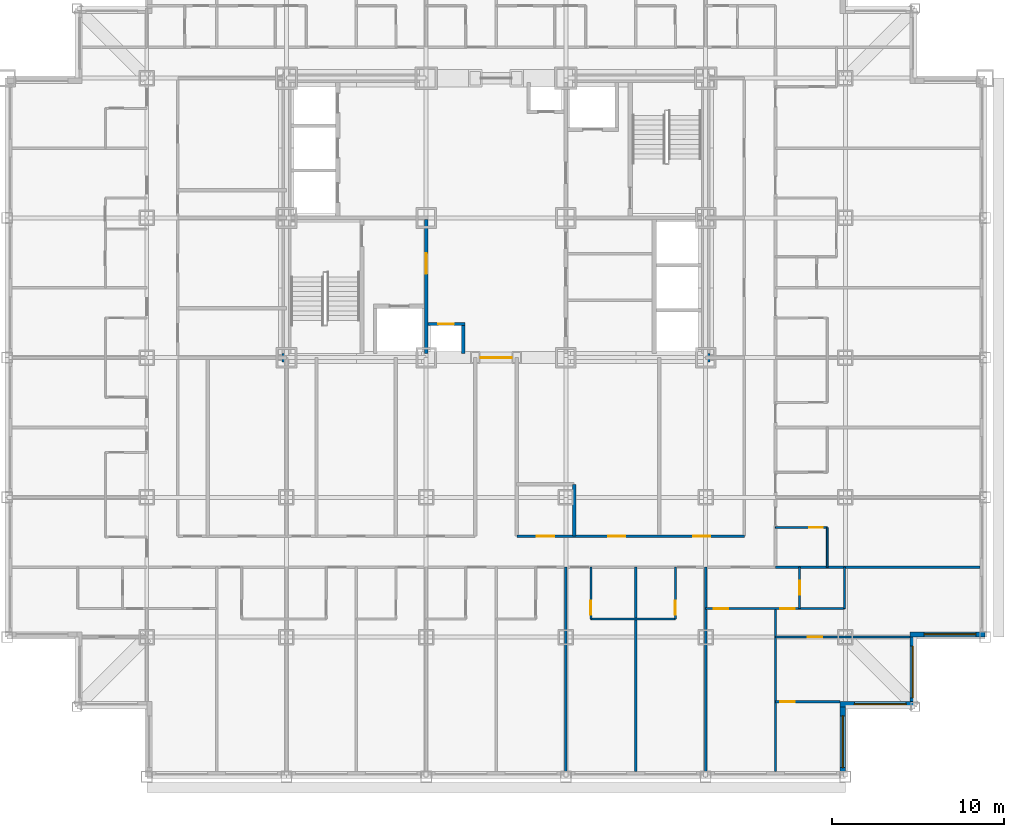
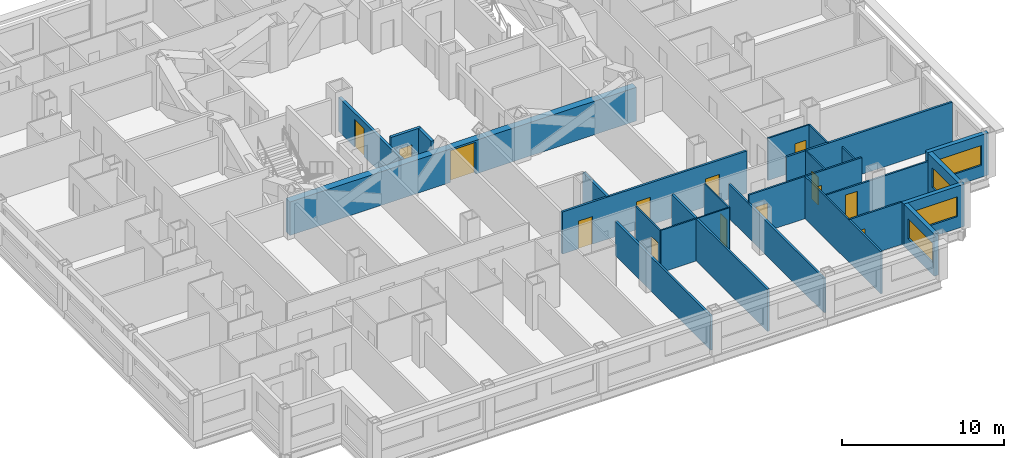
# One storey, part 6 of 12: 25 walls, 14 doors, 4 windows, 18 openings.
"""IFC4 building model written with IfcOpenShell, lengths in metres."""

import ifcopenshell
import ifcopenshell.guid

model = None  # the IFC model being written
_history = None  # IfcOwnerHistory: only IFC2X3 demands one
_inside = {}  # id of a spatial element -> (the spatial element, [elements in it])
_under = {}  # id of a project, library or spatial element -> (it, [spatial elements below it])
_declared = {}  # id of a project -> (the project, [libraries it declares])
_typed = {}  # id of a type object -> (the type object, [elements of that type])
_made_of = {}  # id of a material, layer set ... -> (it, [elements and type objects made of it])


def new_model(schema):
    """Start an empty IFC model of exactly this schema.

    Asked for "IFC4X3", IfcOpenShell would pick the latest addendum, in which some entities
    have other attributes; the version numbers below select the first issue.
    IFC2X3 requires an IfcOwnerHistory on every rooted entity: one is made here for all.
    """
    global model, _history
    if schema == "IFC4X3":
        model = ifcopenshell.file(schema_version=(4, 3, 0, 0))
    else:
        model = ifcopenshell.file(schema=schema)
    _inside.clear()
    _under.clear()
    _declared.clear()
    _typed.clear()
    _made_of.clear()
    _history = None
    if model.schema == "IFC2X3":
        org = make("IfcOrganization", Name="unknown")
        user = make(
            "IfcPersonAndOrganization",
            ThePerson=make("IfcPerson", FamilyName="unknown"),
            TheOrganization=org,
        )
        app = make(
            "IfcApplication",
            ApplicationDeveloper=org,
            Version="unknown",
            ApplicationFullName="unknown",
            ApplicationIdentifier="unknown",
        )
        _history = make(
            "IfcOwnerHistory",
            OwningUser=user,
            OwningApplication=app,
            ChangeAction="ADDED",
            CreationDate=0,
        )
    return model


def make(cls, **values):
    """One entity of the class cls with the attributes given. An attribute that is None is left unset."""
    return model.create_entity(
        cls, **{name: value for name, value in values.items() if value is not None}
    )


def rooted(cls, **values):
    """An entity with a GlobalId (a new one), such as an element, a storey or a relation."""
    return make(cls, GlobalId=ifcopenshell.guid.new(), OwnerHistory=_history, **values)


def si_unit(unit_type, name, prefix=None):
    """IfcSIUnit, for example si_unit("LENGTHUNIT", "METRE", prefix="MILLI")."""
    return make("IfcSIUnit", UnitType=unit_type, Prefix=prefix, Name=name)


def assignment(units):
    """IfcUnitAssignment: the units of a project."""
    return None if units is None else make("IfcUnitAssignment", Units=units)


def point(xyz):
    """IfcCartesianPoint."""
    return None if xyz is None else make("IfcCartesianPoint", Coordinates=xyz)


def direction(xyz):
    """IfcDirection."""
    return None if xyz is None else make("IfcDirection", DirectionRatios=xyz)


def frame(location, z_axis=None, x_axis=None):
    """IfcAxis2Placement3D, a coordinate frame: its origin and axes. An axis left out is left unset."""
    return make(
        "IfcAxis2Placement3D",
        Location=point(location),
        Axis=direction(z_axis),
        RefDirection=direction(x_axis),
    )


def frame_2d(location, x_axis=None):
    """IfcAxis2Placement2D, a coordinate frame in the plane: its origin and x axis."""
    return make(
        "IfcAxis2Placement2D", Location=point(location), RefDirection=direction(x_axis)
    )


def origin():
    """The frame at (0, 0, 0) with its axes left unset."""
    return frame((0.0, 0.0, 0.0))


def place(relative_to, where):
    """IfcLocalPlacement: puts the frame where relative to a parent placement (None: the world)."""
    return make(
        "IfcLocalPlacement", PlacementRelTo=relative_to, RelativePlacement=where
    )


def context(
    kind, dimensions, precision=None, world=None, true_north=None, identifier=None
):
    """IfcGeometricRepresentationContext, for example the 3D "Model" context."""
    return make(
        "IfcGeometricRepresentationContext",
        ContextIdentifier=identifier,
        ContextType=kind,
        CoordinateSpaceDimension=dimensions,
        Precision=precision,
        WorldCoordinateSystem=world,
        TrueNorth=true_north,
    )


def subcontext(parent, identifier, kind, view, scale=None):
    """IfcGeometricRepresentationSubContext, for example "Body" below "Model"."""
    return make(
        "IfcGeometricRepresentationSubContext",
        ContextIdentifier=identifier,
        ContextType=kind,
        ParentContext=parent,
        TargetScale=scale,
        TargetView=view,
    )


def project(units=None, contexts=None):
    """IfcProject with its units and contexts."""
    return rooted(
        "IfcProject",
        Name="project",
        RepresentationContexts=contexts,
        UnitsInContext=assignment(units),
    )


def spatial(cls, under=None, at=None, **own):
    """A site, building, storey or space (cls), placed at a placement, below another one or the project."""
    s = rooted(cls, ObjectPlacement=at, **own)
    if under is not None:
        _under.setdefault(under.id(), (under, []))[1].append(s)
    return s


def profile(cls, at=None, kind="AREA", **sizes):
    """A parametric profile (cls). Its sizes go by their IFC names, for example OverallWidth=200.0."""
    return make(cls, ProfileType=kind, Position=at, **sizes)


def rectangle(**sizes):
    """IfcRectangleProfileDef."""
    return profile("IfcRectangleProfileDef", **sizes)


def extrude(swept, where, along, depth):
    """IfcExtrudedAreaSolid: the profile swept, set in the frame where, extruded along a direction by depth."""
    return make(
        "IfcExtrudedAreaSolid",
        SweptArea=swept,
        Position=where,
        ExtrudedDirection=direction(along),
        Depth=depth,
    )


def shape(context_of_items, identifier, shape_type, items):
    """IfcShapeRepresentation: the items that make up one representation, for example the "Body"."""
    return make(
        "IfcShapeRepresentation",
        ContextOfItems=context_of_items,
        RepresentationIdentifier=identifier,
        RepresentationType=shape_type,
        Items=items,
    )


def material(Name=None, Category=None):
    """IfcMaterial."""
    return make("IfcMaterial", Name=Name, Category=Category)


def layer(
    of_material, thickness, ventilated=None, Name=None, Category=None, Priority=None
):
    """IfcMaterialLayer: one layer of a wall or slab, of a material (None: an air gap)."""
    return make(
        "IfcMaterialLayer",
        Material=of_material,
        LayerThickness=thickness,
        IsVentilated=ventilated,
        Name=Name,
        Category=Category,
        Priority=Priority,
    )


def layer_set(layers, Name=None):
    """IfcMaterialLayerSet."""
    return make("IfcMaterialLayerSet", MaterialLayers=layers, LayerSetName=Name)


def made_of(thing, what):
    """Note that an element or type object is made of a material, layer set ...; save() writes the relation."""
    if what is not None:
        _made_of.setdefault(what.id(), (what, []))[1].append(thing)
    return thing


def type_object(cls, material=None, **own):
    """A type object (cls), such as IfcWallType, which elements share."""
    return made_of(rooted(cls, **own), material)


def element(
    cls,
    number,
    at=None,
    inside=None,
    cuts=None,
    type_object=None,
    material=None,
    context=None,
    identifier="Body",
    shape_type=None,
    held_by="IfcProductDefinitionShape",
    body=None,
    shapes=None,
    **own,
):
    """One element of the class cls, such as IfcWall. Its Tag is "e" and its number.

    at: its placement. inside: the storey or other place that contains it. cuts: it is an
    opening in that element (IfcRelVoidsElement). A single representation is given by context,
    identifier, shape_type and body (its items); several are given by shapes. held_by: the class
    of the entity that holds the representations. save() writes the other relations.
    """
    e = rooted(cls, Tag="e%d" % number, ObjectPlacement=at, **own)
    if body is not None:
        shapes = [shape(context, identifier, shape_type, body)]
    if shapes is not None:
        e.Representation = make(held_by, Representations=shapes)
    if inside is not None:
        _inside.setdefault(inside.id(), (inside, []))[1].append(e)
    if cuts is not None:
        rooted(
            "IfcRelVoidsElement", RelatingBuildingElement=cuts, RelatedOpeningElement=e
        )
    if type_object is not None:
        _typed.setdefault(type_object.id(), (type_object, []))[1].append(e)
    return made_of(e, material)


def fill(opening, filler):
    """IfcRelFillsElement: the door or window that sits in an opening."""
    return rooted(
        "IfcRelFillsElement",
        RelatingOpeningElement=opening,
        RelatedBuildingElement=filler,
    )


def aggregate(whole, parts):
    """IfcRelAggregates: a whole, such as a stair, and the parts it consists of."""
    return rooted("IfcRelAggregates", RelatingObject=whole, RelatedObjects=parts)


def save(model, path):
    """Write the relations noted so far, then the file.

    IfcRelAggregates (storeys below a building ...), IfcRelContainedInSpatialStructure (elements
    in a storey), IfcRelDefinesByType, IfcRelAssociatesMaterial and IfcRelDeclares: one each for
    every whole, place, type object, material and project.
    """
    for whole, parts in _under.values():
        aggregate(whole, parts)
    for where, things in _inside.values():
        rooted(
            "IfcRelContainedInSpatialStructure",
            RelatedElements=things,
            RelatingStructure=where,
        )
    for kind, things in _typed.values():
        rooted("IfcRelDefinesByType", RelatedObjects=things, RelatingType=kind)
    for what, things in _made_of.values():
        rooted("IfcRelAssociatesMaterial", RelatedObjects=things, RelatingMaterial=what)
    for by, libraries in _declared.values():
        rooted("IfcRelDeclares", RelatingContext=by, RelatedDefinitions=libraries)
    model.write(path)


model = new_model("IFC4")

# Units and contexts
model_context = context("Model", 3, precision=1e-05, world=origin(), true_north=direction((0.0, 1.0)))
body_context = subcontext(model_context, "Body", "Model", "MODEL_VIEW")
ifc_project = project(units=[si_unit("LENGTHUNIT", "METRE"), si_unit("AREAUNIT", "SQUARE_METRE"), si_unit("VOLUMEUNIT", "CUBIC_METRE"), si_unit("PLANEANGLEUNIT", "RADIAN"), si_unit("MASSUNIT", "GRAM", prefix="KILO")], contexts=[model_context])

# Site, building, storey
site_placement = place(None, origin())
site = spatial("IfcSite", under=ifc_project, at=site_placement, CompositionType="ELEMENT")
building_placement = place(site_placement, origin())
building = spatial("IfcBuilding", under=site, at=building_placement, Name="Kopane Lantern Tower", CompositionType="ELEMENT")
storey_placement = place(building_placement, frame((0.0, 0.0, 70.39990234375)))
storey = spatial("IfcBuildingStorey", under=building, at=storey_placement, Name="L17", CompositionType="ELEMENT", Elevation=70.39990234375)

# Wall, openings, doors
ifc_material_1 = material(Name="Gypsum board on steel studs", Category="steel")
ifc_layer_1 = layer(ifc_material_1, 0.1201171875)
ifc_layer_set_1 = layer_set([ifc_layer_1], Name="APARTMENT INTERNAL WALL 120")
wall_type_1 = type_object("IfcWallType", Name="APARTMENT INTERNAL WALL 120", PredefinedType="PARTITIONING", material=ifc_layer_set_1)
wall_1_placement = place(storey_placement, frame((40.5, 9.75, 0.0), z_axis=(0.0, 0.0, 1.0), x_axis=(1.0, 0.0, 0.0)))
wall_1 = element("IfcWall", 1, at=wall_1_placement, inside=storey, type_object=wall_type_1, Name="Apartment Internal Wall 120 L17", PredefinedType="PARTITIONING", context=body_context, shape_type="SweptSolid", body=[
    extrude(rectangle(XDim=8.050048828125, YDim=0.1201171875, at=frame_2d((4.02490234375, 0.0))), origin(), (0.0, 0.0, 1.0), 3.190185546875),
])
opening_1_placement = place(wall_1_placement, frame((0.47509765625, 0.0, 0.0)))
opening_1 = element("IfcOpeningElement", 2, at=opening_1_placement, cuts=wall_1, Name="Opening L17-073", PredefinedType="OPENING", context=body_context, shape_type="SweptSolid", body=[
    extrude(rectangle(XDim=0.85009765625, YDim=2.10009765625, at=frame_2d((0.425048828125, 1.050048828125))), frame((0.0, 0.070068359375, 0.0), z_axis=(0.0, -1.0, 0.0), x_axis=(1.0, 0.0, 0.0)), (0.0, 0.0, 1.0), 0.14013671875),
])
opening_2_placement = place(wall_1_placement, frame((4.324951171875, 0.0, 0.0)))
opening_2 = element("IfcOpeningElement", 3, at=opening_2_placement, cuts=wall_1, Name="Opening L17-075", PredefinedType="OPENING", context=body_context, shape_type="SweptSolid", body=[
    extrude(rectangle(XDim=0.85009765625, YDim=2.10009765625, at=frame_2d((0.425048828125, 1.050048828125))), frame((0.0, 0.070068359375, 0.0), z_axis=(0.0, -1.0, 0.0), x_axis=(1.0, 0.0, 0.0)), (0.0, 0.0, 1.0), 0.14013671875),
])
ifc_material_2 = material(Name="Timber door set", Category="wood")
door_type_1 = type_object("IfcDoorType", Name="DOOR D4 850x2100", OperationType="SINGLE_SWING_LEFT", PredefinedType="DOOR", material=ifc_material_2)
door_1_placement = place(opening_1_placement, origin())
door_1 = element("IfcDoor", 4, at=door_1_placement, inside=storey, type_object=door_type_1, Name="Door L17-073", OperationType="SINGLE_SWING_LEFT", OverallHeight=2.10009765625, OverallWidth=0.85009765625, PredefinedType="DOOR", context=body_context, shape_type="SweptSolid", body=[
    extrude(rectangle(XDim=0.85009765625, YDim=2.10009765625, at=frame_2d((0.425048828125, 1.050048828125))), frame((0.0, 0.02490234375, 0.0), z_axis=(0.0, -1.0, 0.0), x_axis=(1.0, 0.0, 0.0)), (0.0, 0.0, 1.0), 0.050048828125),
])
fill(opening_1, door_1)
door_2_placement = place(opening_2_placement, origin())
door_2 = element("IfcDoor", 5, at=door_2_placement, inside=storey, type_object=door_type_1, Name="Door L17-075", OperationType="SINGLE_SWING_RIGHT", OverallHeight=2.10009765625, OverallWidth=0.85009765625, PredefinedType="DOOR", context=body_context, shape_type="SweptSolid", body=[
    extrude(rectangle(XDim=0.85009765625, YDim=2.10009765625, at=frame_2d((0.425048828125, 1.050048828125))), frame((0.0, 0.02490234375, 0.0), z_axis=(0.0, -1.0, 0.0), x_axis=(1.0, 0.0, 0.0)), (0.0, 0.0, 1.0), 0.050048828125),
])
fill(opening_2, door_2)

# Wall
wall_2_placement = place(storey_placement, frame((44.550048828125, 9.75, 0.0), z_axis=(0.0, 0.0, 1.0), x_axis=(0.0, -1.0, 0.0)))
element("IfcWall", 6, at=wall_2_placement, inside=storey, type_object=wall_type_1, Name="Apartment Internal Wall 120 L17", PredefinedType="PARTITIONING", context=body_context, shape_type="SweptSolid", body=[
    extrude(rectangle(XDim=9.449951171875, YDim=0.1201171875, at=frame_2d((4.72509765625, 0.0))), origin(), (0.0, 0.0, 1.0), 3.190185546875),
])

# Wall, opening, door
wall_3_placement = place(storey_placement, frame((44.550048828125, 8.10009765625, 0.0), z_axis=(0.0, 0.0, 1.0), x_axis=(1.0, 0.0, 0.0)))
wall_3 = element("IfcWall", 7, at=wall_3_placement, inside=storey, type_object=wall_type_1, Name="Apartment Internal Wall 120 L17", PredefinedType="PARTITIONING", context=body_context, shape_type="SweptSolid", body=[
    extrude(rectangle(XDim=7.800048828125, YDim=0.1201171875, at=frame_2d((3.89990234375, 0.0))), origin(), (0.0, 0.0, 1.0), 2.577880859375),
])
opening_3_placement = place(wall_3_placement, frame((1.875, 0.0, 0.0)))
opening_3 = element("IfcOpeningElement", 8, at=opening_3_placement, cuts=wall_3, Name="Opening L17-076", PredefinedType="OPENING", context=body_context, shape_type="SweptSolid", body=[
    extrude(rectangle(XDim=0.85009765625, YDim=2.10009765625, at=frame_2d((0.425048828125, 1.050048828125))), frame((0.0, 0.070068359375, 0.0), z_axis=(0.0, -1.0, 0.0), x_axis=(1.0, 0.0, 0.0)), (0.0, 0.0, 1.0), 0.14013671875),
])
door_3_placement = place(opening_3_placement, origin())
door_3 = element("IfcDoor", 9, at=door_3_placement, inside=storey, type_object=door_type_1, Name="Door L17-076", OperationType="SINGLE_SWING_LEFT", OverallHeight=2.10009765625, OverallWidth=0.85009765625, PredefinedType="DOOR", context=body_context, shape_type="SweptSolid", body=[
    extrude(rectangle(XDim=0.85009765625, YDim=2.10009765625, at=frame_2d((0.425048828125, 1.050048828125))), frame((0.0, 0.02490234375, 0.0), z_axis=(0.0, -1.0, 0.0), x_axis=(1.0, 0.0, 0.0)), (0.0, 0.0, 1.0), 0.050048828125),
])
fill(opening_3, door_3)

wall_4_placement = place(storey_placement, frame((44.550048828125, 4.35009765625, 0.0), z_axis=(0.0, 0.0, 1.0), x_axis=(1.0, 0.0, 0.0)))
wall_4 = element("IfcWall", 10, at=wall_4_placement, inside=storey, type_object=wall_type_1, Name="Apartment Internal Wall 120 L17", PredefinedType="PARTITIONING", context=body_context, shape_type="SweptSolid", body=[
    extrude(rectangle(XDim=3.75, YDim=0.1201171875, at=frame_2d((1.875, 0.0))), origin(), (0.0, 0.0, 1.0), 3.190185546875),
])
opening_4_placement = place(wall_4_placement, frame((0.27490234375, 0.0, 0.0)))
opening_4 = element("IfcOpeningElement", 11, at=opening_4_placement, cuts=wall_4, Name="Opening L17-083", PredefinedType="OPENING", context=body_context, shape_type="SweptSolid", body=[
    extrude(rectangle(XDim=0.85009765625, YDim=2.10009765625, at=frame_2d((0.425048828125, 1.050048828125))), frame((0.0, 0.070068359375, 0.0), z_axis=(0.0, -1.0, 0.0), x_axis=(1.0, 0.0, 0.0)), (0.0, 0.0, 1.0), 0.14013671875),
])
door_4_placement = place(opening_4_placement, origin())
door_4 = element("IfcDoor", 12, at=door_4_placement, inside=storey, type_object=door_type_1, Name="Door L17-083", OperationType="SINGLE_SWING_RIGHT", OverallHeight=2.10009765625, OverallWidth=0.85009765625, PredefinedType="DOOR", context=body_context, shape_type="SweptSolid", body=[
    extrude(rectangle(XDim=0.85009765625, YDim=2.10009765625, at=frame_2d((0.425048828125, 1.050048828125))), frame((0.0, 0.02490234375, 0.0), z_axis=(0.0, -1.0, 0.0), x_axis=(1.0, 0.0, 0.0)), (0.0, 0.0, 1.0), 0.050048828125),
])
fill(opening_4, door_4)

# Wall
ifc_material_3 = material(Name="Moisture-resistant board on steel studs", Category="steel")
ifc_layer_2 = layer(ifc_material_3, 0.10009765625)
ifc_layer_set_2 = layer_set([ifc_layer_2], Name="BATHROOM WALL 100")
wall_type_2 = type_object("IfcWallType", Name="BATHROOM WALL 100", PredefinedType="PARTITIONING", material=ifc_layer_set_2)
wall_5_placement = place(storey_placement, frame((33.85009765625, 9.14990234375, 0.0), z_axis=(0.0, 0.0, 1.0), x_axis=(1.0, 0.0, 0.0)))
element("IfcWall", 13, at=wall_5_placement, inside=storey, type_object=wall_type_2, Name="Bathroom Wall 100 L17", PredefinedType="PARTITIONING", context=body_context, shape_type="SweptSolid", body=[
    extrude(rectangle(XDim=4.89990234375, YDim=0.10009765625, at=frame_2d((2.449951171875, 0.0))), origin(), (0.0, 0.0, 1.0), 3.190185546875),
])

# Wall, opening, door
wall_6_placement = place(storey_placement, frame((33.85009765625, 12.14990234375, 0.0), z_axis=(0.0, 0.0, 1.0), x_axis=(0.0, -1.0, 0.0)))
wall_6 = element("IfcWall", 14, at=wall_6_placement, inside=storey, type_object=wall_type_2, Name="Bathroom Wall 100 L17", PredefinedType="PARTITIONING", context=body_context, shape_type="SweptSolid", body=[
    extrude(rectangle(XDim=3.0, YDim=0.10009765625, at=frame_2d((1.5, 0.0))), origin(), (0.0, 0.0, 1.0), 3.190185546875),
])
opening_5_placement = place(wall_6_placement, frame((1.949951171875, 0.0, 0.0)))
opening_5 = element("IfcOpeningElement", 15, at=opening_5_placement, cuts=wall_6, Name="Opening L17-025", PredefinedType="OPENING", context=body_context, shape_type="SweptSolid", body=[
    extrude(rectangle(XDim=0.800048828125, YDim=2.10009765625, at=frame_2d((0.39990234375, 1.050048828125))), frame((0.0, 0.06005859375, 0.0), z_axis=(0.0, -1.0, 0.0), x_axis=(1.0, 0.0, 0.0)), (0.0, 0.0, 1.0), 0.1201171875),
])
ifc_material_4 = material(Name="Timber door set", Category="wood")
door_type_2 = type_object("IfcDoorType", Name="DOOR D2 800x2100", OperationType="SINGLE_SWING_LEFT", PredefinedType="DOOR", material=ifc_material_4)
door_5_placement = place(opening_5_placement, origin())
door_5 = element("IfcDoor", 16, at=door_5_placement, inside=storey, type_object=door_type_2, Name="Door L17-025", OperationType="SINGLE_SWING_RIGHT", OverallHeight=2.10009765625, OverallWidth=0.800048828125, PredefinedType="DOOR", context=body_context, shape_type="SweptSolid", body=[
    extrude(rectangle(XDim=0.800048828125, YDim=2.10009765625, at=frame_2d((0.39990234375, 1.050048828125))), frame((0.0, 0.02490234375, 0.0), z_axis=(0.0, -1.0, 0.0), x_axis=(1.0, 0.0, 0.0)), (0.0, 0.0, 1.0), 0.050048828125),
])
fill(opening_5, door_5)

wall_7_placement = place(storey_placement, frame((38.75, 12.14990234375, 0.0), z_axis=(0.0, 0.0, 1.0), x_axis=(0.0, -1.0, 0.0)))
wall_7 = element("IfcWall", 17, at=wall_7_placement, inside=storey, type_object=wall_type_2, Name="Bathroom Wall 100 L17", PredefinedType="PARTITIONING", context=body_context, shape_type="SweptSolid", body=[
    extrude(rectangle(XDim=3.0, YDim=0.10009765625, at=frame_2d((1.5, 0.0))), origin(), (0.0, 0.0, 1.0), 3.190185546875),
])
opening_6_placement = place(wall_7_placement, frame((1.949951171875, 0.0, 0.0)))
opening_6 = element("IfcOpeningElement", 18, at=opening_6_placement, cuts=wall_7, Name="Opening L17-027", PredefinedType="OPENING", context=body_context, shape_type="SweptSolid", body=[
    extrude(rectangle(XDim=0.800048828125, YDim=2.10009765625, at=frame_2d((0.39990234375, 1.050048828125))), frame((0.0, 0.06005859375, 0.0), z_axis=(0.0, -1.0, 0.0), x_axis=(1.0, 0.0, 0.0)), (0.0, 0.0, 1.0), 0.1201171875),
])
door_6_placement = place(opening_6_placement, origin())
door_6 = element("IfcDoor", 19, at=door_6_placement, inside=storey, type_object=door_type_2, Name="Door L17-027", OperationType="SINGLE_SWING_LEFT", OverallHeight=2.10009765625, OverallWidth=0.800048828125, PredefinedType="DOOR", context=body_context, shape_type="SweptSolid", body=[
    extrude(rectangle(XDim=0.800048828125, YDim=2.10009765625, at=frame_2d((0.39990234375, 1.050048828125))), frame((0.0, 0.02490234375, 0.0), z_axis=(0.0, -1.0, 0.0), x_axis=(1.0, 0.0, 0.0)), (0.0, 0.0, 1.0), 0.050048828125),
])
fill(opening_6, door_6)

# Wall
wall_8_placement = place(storey_placement, frame((47.550048828125, 12.14990234375, 0.0), z_axis=(0.0, 0.0, 1.0), x_axis=(0.0, 1.0, 0.0)))
element("IfcWall", 20, at=wall_8_placement, inside=storey, type_object=wall_type_2, Name="Bathroom Wall 100 L17", PredefinedType="PARTITIONING", context=body_context, shape_type="SweptSolid", body=[
    extrude(rectangle(XDim=2.300048828125, YDim=0.10009765625, at=frame_2d((1.14990234375, 0.0))), origin(), (0.0, 0.0, 1.0), 3.190185546875),
])

# Wall, opening, door
wall_9_placement = place(storey_placement, frame((44.550048828125, 14.449951171875, 0.0), z_axis=(0.0, 0.0, 1.0), x_axis=(1.0, 0.0, 0.0)))
wall_9 = element("IfcWall", 21, at=wall_9_placement, inside=storey, type_object=wall_type_2, Name="Bathroom Wall 100 L17", PredefinedType="PARTITIONING", context=body_context, shape_type="SweptSolid", body=[
    extrude(rectangle(XDim=3.0, YDim=0.10009765625, at=frame_2d((1.5, 0.0))), origin(), (0.0, 0.0, 1.0), 3.190185546875),
])
opening_7_placement = place(wall_9_placement, frame((1.949951171875, 0.0, 0.0)))
opening_7 = element("IfcOpeningElement", 22, at=opening_7_placement, cuts=wall_9, Name="Opening L17-054", PredefinedType="OPENING", context=body_context, shape_type="SweptSolid", body=[
    extrude(rectangle(XDim=0.800048828125, YDim=2.10009765625, at=frame_2d((0.39990234375, 1.050048828125))), frame((0.0, 0.06005859375, 0.0), z_axis=(0.0, -1.0, 0.0), x_axis=(1.0, 0.0, 0.0)), (0.0, 0.0, 1.0), 0.1201171875),
])
door_7_placement = place(opening_7_placement, origin())
door_7 = element("IfcDoor", 23, at=door_7_placement, inside=storey, type_object=door_type_2, Name="Door L17-054", OperationType="SINGLE_SWING_LEFT", OverallHeight=2.10009765625, OverallWidth=0.800048828125, PredefinedType="DOOR", context=body_context, shape_type="SweptSolid", body=[
    extrude(rectangle(XDim=0.800048828125, YDim=2.10009765625, at=frame_2d((0.39990234375, 1.050048828125))), frame((0.0, 0.02490234375, 0.0), z_axis=(0.0, -1.0, 0.0), x_axis=(1.0, 0.0, 0.0)), (0.0, 0.0, 1.0), 0.050048828125),
])
fill(opening_7, door_7)

wall_10_placement = place(storey_placement, frame((45.949951171875, 12.14990234375, 0.0), z_axis=(0.0, 0.0, 1.0), x_axis=(0.0, -1.0, 0.0)))
wall_10 = element("IfcWall", 24, at=wall_10_placement, inside=storey, type_object=wall_type_2, Name="Bathroom Wall 100 L17", PredefinedType="PARTITIONING", context=body_context, shape_type="SweptSolid", body=[
    extrude(rectangle(XDim=2.39990234375, YDim=0.10009765625, at=frame_2d((1.199951171875, 0.0))), origin(), (0.0, 0.0, 1.0), 3.190185546875),
])
opening_8_placement = place(wall_10_placement, frame((0.800048828125, 0.0, 0.0)))
opening_8 = element("IfcOpeningElement", 25, at=opening_8_placement, cuts=wall_10, Name="Opening L17-074", PredefinedType="OPENING", context=body_context, shape_type="SweptSolid", body=[
    extrude(rectangle(XDim=0.800048828125, YDim=2.10009765625, at=frame_2d((0.39990234375, 1.050048828125))), frame((0.0, 0.06005859375, 0.0), z_axis=(0.0, -1.0, 0.0), x_axis=(1.0, 0.0, 0.0)), (0.0, 0.0, 1.0), 0.1201171875),
])
door_8_placement = place(opening_8_placement, origin())
door_8 = element("IfcDoor", 26, at=door_8_placement, inside=storey, type_object=door_type_2, Name="Door L17-074", OperationType="SINGLE_SWING_LEFT", OverallHeight=2.10009765625, OverallWidth=0.800048828125, PredefinedType="DOOR", context=body_context, shape_type="SweptSolid", body=[
    extrude(rectangle(XDim=0.800048828125, YDim=2.10009765625, at=frame_2d((0.39990234375, 1.050048828125))), frame((0.0, 0.02490234375, 0.0), z_axis=(0.0, -1.0, 0.0), x_axis=(1.0, 0.0, 0.0)), (0.0, 0.0, 1.0), 0.050048828125),
])
fill(opening_8, door_8)

# Wall
wall_11_placement = place(storey_placement, frame((48.550048828125, 12.14990234375, 0.0), z_axis=(0.0, 0.0, 1.0), x_axis=(0.0, -1.0, 0.0)))
element("IfcWall", 27, at=wall_11_placement, inside=storey, type_object=wall_type_2, Name="Bathroom Wall 100 L17", PredefinedType="PARTITIONING", context=body_context, shape_type="SweptSolid", body=[
    extrude(rectangle(XDim=2.39990234375, YDim=0.10009765625, at=frame_2d((1.199951171875, 0.0))), origin(), (0.0, 0.0, 1.0), 2.577880859375),
])

# Wall, opening, door
ifc_material_5 = material(Name="Gypsum shaft wall EI 120", Category="gypsum")
ifc_layer_3 = layer(ifc_material_5, 0.5)
ifc_layer_set_3 = layer_set([ifc_layer_3], Name="CORE PERIMETER WALL 500 EI 120")
wall_type_3 = type_object("IfcWallType", Name="CORE PERIMETER WALL 500 EI 120", PredefinedType="SOLIDWALL", material=ifc_layer_set_3)
wall_12_placement = place(storey_placement, frame((15.949951171875, 24.300048828125, 0.0), z_axis=(0.0, 0.0, 1.0), x_axis=(1.0, 0.0, 0.0)))
wall_12 = element("IfcWall", 28, at=wall_12_placement, inside=storey, type_object=wall_type_3, Name="Core shaft wall L17 PS", PredefinedType="SOLIDWALL", context=body_context, shape_type="SweptSolid", body=[
    extrude(rectangle(XDim=24.800048828125, YDim=0.5, at=frame_2d((12.39990234375, 0.0))), origin(), (0.0, 0.0, 1.0), 2.5400390625),
])
opening_9_placement = place(wall_12_placement, frame((11.5, 0.0, 0.0)))
opening_9 = element("IfcOpeningElement", 29, at=opening_9_placement, cuts=wall_12, Name="Opening 17.CE-S", PredefinedType="OPENING", context=body_context, shape_type="SweptSolid", body=[
    extrude(rectangle(XDim=1.800048828125, YDim=2.39990234375, at=frame_2d((0.89990234375, 1.199951171875))), frame((0.0, 0.260009765625, 0.0), z_axis=(0.0, -1.0, 0.0), x_axis=(1.0, 0.0, 0.0)), (0.0, 0.0, 1.0), 0.52001953125),
])
ifc_material_6 = material(Name="Steel door set", Category="steel")
door_type_3 = type_object("IfcDoorType", Name="CORE ENTRY DOOR 1800x2400 FD60S", OperationType="DOUBLE_DOOR_SINGLE_SWING", PredefinedType="DOOR", material=ifc_material_6)
door_9_placement = place(opening_9_placement, origin())
door_9 = element("IfcDoor", 30, at=door_9_placement, inside=storey, type_object=door_type_3, Name="Core entry door L17 south", OperationType="DOUBLE_DOOR_SINGLE_SWING", OverallHeight=2.39990234375, OverallWidth=1.800048828125, PredefinedType="DOOR", context=body_context, shape_type="SweptSolid", body=[
    extrude(rectangle(XDim=1.800048828125, YDim=2.39990234375, at=frame_2d((0.89990234375, 1.199951171875))), frame((0.0, 0.02490234375, 0.0), z_axis=(0.0, -1.0, 0.0), x_axis=(1.0, 0.0, 0.0)), (0.0, 0.0, 1.0), 0.050048828125),
])
fill(opening_9, door_9)

# Wall, openings, doors
ifc_material_7 = material(Name="Gypsum board on steel studs", Category="steel")
ifc_layer_4 = layer(ifc_material_7, 0.14990234375)
ifc_layer_set_4 = layer_set([ifc_layer_4], Name="CORRIDOR WALL 150 EI 60")
wall_type_4 = type_object("IfcWallType", Name="CORRIDOR WALL 150 EI 60", PredefinedType="PARTITIONING", material=ifc_layer_set_4)
wall_13_placement = place(storey_placement, frame((29.56005859375, 13.949951171875, 0.0), z_axis=(0.0, 0.0, 1.0), x_axis=(1.0, 0.0, 0.0)))
wall_13 = element("IfcWall", 31, at=wall_13_placement, inside=storey, type_object=wall_type_4, Name="Corridor Wall 150 Ei 60 L17", PredefinedType="PARTITIONING", context=body_context, shape_type="SweptSolid", body=[
    extrude(rectangle(XDim=13.18994140625, YDim=0.14990234375, at=frame_2d((6.594970703125, 0.0))), origin(), (0.0, 0.0, 1.0), 3.190185546875),
])
opening_10_placement = place(wall_13_placement, frame((1.15673828125, 0.0, 0.0)))
opening_10 = element("IfcOpeningElement", 32, at=opening_10_placement, cuts=wall_13, Name="Opening L17-012", PredefinedType="OPENING", context=body_context, shape_type="SweptSolid", body=[
    extrude(rectangle(XDim=1.0, YDim=2.10009765625, at=frame_2d((0.5, 1.050048828125))), frame((0.0, 0.0849609375, 0.0), z_axis=(0.0, -1.0, 0.0), x_axis=(1.0, 0.0, 0.0)), (0.0, 0.0, 1.0), 0.169921875),
])
opening_11_placement = place(wall_13_placement, frame((5.2900390625, 0.0, 0.0)))
opening_11 = element("IfcOpeningElement", 33, at=opening_11_placement, cuts=wall_13, Name="Opening L17-013", PredefinedType="OPENING", context=body_context, shape_type="SweptSolid", body=[
    extrude(rectangle(XDim=1.0, YDim=2.10009765625, at=frame_2d((0.5, 1.050048828125))), frame((0.0, 0.0849609375, 0.0), z_axis=(0.0, -1.0, 0.0), x_axis=(1.0, 0.0, 0.0)), (0.0, 0.0, 1.0), 0.169921875),
])
opening_12_placement = place(wall_13_placement, frame((10.223388671875, 0.0, 0.0)))
opening_12 = element("IfcOpeningElement", 34, at=opening_12_placement, cuts=wall_13, Name="Opening L17-014", PredefinedType="OPENING", context=body_context, shape_type="SweptSolid", body=[
    extrude(rectangle(XDim=1.0, YDim=2.10009765625, at=frame_2d((0.5, 1.050048828125))), frame((0.0, 0.0849609375, 0.0), z_axis=(0.0, -1.0, 0.0), x_axis=(1.0, 0.0, 0.0)), (0.0, 0.0, 1.0), 0.169921875),
])
ifc_material_8 = material(Name="Steel door set", Category="steel")
door_type_4 = type_object("IfcDoorType", Name="DOOR D5 1000x2100 FD60", OperationType="SINGLE_SWING_LEFT", PredefinedType="DOOR", material=ifc_material_8)
door_10_placement = place(opening_10_placement, origin())
door_10 = element("IfcDoor", 35, at=door_10_placement, inside=storey, type_object=door_type_4, Name="Door L17-012", OperationType="SINGLE_SWING_LEFT", OverallHeight=2.10009765625, OverallWidth=1.0, PredefinedType="DOOR", context=body_context, shape_type="SweptSolid", body=[
    extrude(rectangle(XDim=1.0, YDim=2.10009765625, at=frame_2d((0.5, 1.050048828125))), frame((0.0, 0.02490234375, 0.0), z_axis=(0.0, -1.0, 0.0), x_axis=(1.0, 0.0, 0.0)), (0.0, 0.0, 1.0), 0.050048828125),
])
fill(opening_10, door_10)
door_11_placement = place(opening_11_placement, origin())
door_11 = element("IfcDoor", 36, at=door_11_placement, inside=storey, type_object=door_type_4, Name="Door L17-013", OperationType="SINGLE_SWING_RIGHT", OverallHeight=2.10009765625, OverallWidth=1.0, PredefinedType="DOOR", context=body_context, shape_type="SweptSolid", body=[
    extrude(rectangle(XDim=1.0, YDim=2.10009765625, at=frame_2d((0.5, 1.050048828125))), frame((0.0, 0.02490234375, 0.0), z_axis=(0.0, -1.0, 0.0), x_axis=(1.0, 0.0, 0.0)), (0.0, 0.0, 1.0), 0.050048828125),
])
fill(opening_11, door_11)
door_12_placement = place(opening_12_placement, origin())
door_12 = element("IfcDoor", 37, at=door_12_placement, inside=storey, type_object=door_type_4, Name="Door L17-014", OperationType="SINGLE_SWING_LEFT", OverallHeight=2.10009765625, OverallWidth=1.0, PredefinedType="DOOR", context=body_context, shape_type="SweptSolid", body=[
    extrude(rectangle(XDim=1.0, YDim=2.10009765625, at=frame_2d((0.5, 1.050048828125))), frame((0.0, 0.02490234375, 0.0), z_axis=(0.0, -1.0, 0.0), x_axis=(1.0, 0.0, 0.0)), (0.0, 0.0, 1.0), 0.050048828125),
])
fill(opening_12, door_12)

# Walls
ifc_material_9 = material(Name="Gypsum board on steel studs", Category="steel")
ifc_layer_5 = layer(ifc_material_9, 0.14990234375)
ifc_layer_set_5 = layer_set([ifc_layer_5], Name="DEMISING WALL 150 EI 60")
wall_type_5 = type_object("IfcWallType", Name="DEMISING WALL 150 EI 60", PredefinedType="PARTITIONING", material=ifc_layer_set_5)
wall_14_placement = place(storey_placement, frame((32.39990234375, 12.14990234375, 0.0), z_axis=(0.0, 0.0, 1.0), x_axis=(0.0, -1.0, 0.0)))
element("IfcWall", 38, at=wall_14_placement, inside=storey, type_object=wall_type_5, Name="Demising Wall 150 Ei 60 L17", PredefinedType="PARTITIONING", context=body_context, shape_type="SweptSolid", body=[
    extrude(rectangle(XDim=11.849853515625, YDim=0.14990234375, at=frame_2d((5.9248046875, 0.0))), origin(), (0.0, 0.0, 1.0), 2.577880859375),
])
for number, where, z_axis, x_axis, name in (
    (39, (36.449951171875, 12.14990234375, 0.0), (0.0, 0.0, 1.0), (0.0, -1.0, 0.0), "Demising Wall 150 Ei 60 L17"),
    (40, (44.550048828125, 12.14990234375, 0.0), (0.0, 0.0, 1.0), (1.0, 0.0, 0.0), "Demising Wall 150 Ei 60 L17"),
):
    element("IfcWall", number, at=place(storey_placement, frame(where, z_axis=z_axis, x_axis=x_axis)), inside=storey, type_object=wall_type_5, Name=name, PredefinedType="PARTITIONING", context=body_context, shape_type="SweptSolid", body=[
        extrude(rectangle(XDim=11.849853515625, YDim=0.14990234375, at=frame_2d((5.9248046875, 0.0))), origin(), (0.0, 0.0, 1.0), 3.190185546875),
    ])
wall_15_placement = place(storey_placement, frame((40.5, 12.14990234375, 0.0), z_axis=(0.0, 0.0, 1.0), x_axis=(0.0, -1.0, 0.0)))
element("IfcWall", 41, at=wall_15_placement, inside=storey, type_object=wall_type_5, Name="Demising Wall 150 Ei 60 L17", PredefinedType="PARTITIONING", context=body_context, shape_type="SweptSolid", body=[
    extrude(rectangle(XDim=11.849853515625, YDim=0.14990234375, at=frame_2d((5.9248046875, 0.0))), origin(), (0.0, 0.0, 1.0), 2.577880859375),
])

# Wall, opening, window
ifc_material_10 = material(Name="Terracotta rainscreen on light steel framing", Category="masonry")
ifc_layer_6 = layer(ifc_material_10, 0.300048828125)
ifc_layer_set_6 = layer_set([ifc_layer_6], Name="EXTERNAL WALL EW1 300 TERRACOTTA")
wall_type_6 = type_object("IfcWallType", Name="EXTERNAL WALL EW1 300 TERRACOTTA", PredefinedType="SOLIDWALL", material=ifc_layer_set_6)
wall_16_placement = place(storey_placement, frame((48.449951171875, 0.300048828125, 0.0), z_axis=(0.0, 0.0, 1.0), x_axis=(0.0, 1.0, 0.0)))
wall_16 = element("IfcWall", 42, at=wall_16_placement, inside=storey, type_object=wall_type_6, Name="External wall E L17", PredefinedType="SOLIDWALL", context=body_context, shape_type="SweptSolid", body=[
    extrude(rectangle(XDim=3.75, YDim=0.300048828125, at=frame_2d((1.875, 0.0))), origin(), (0.0, 0.0, 1.0), 3.190185546875),
])
opening_13_placement = place(wall_16_placement, frame((0.22509765625, 0.0, 0.89990234375)))
opening_13 = element("IfcOpeningElement", 43, at=opening_13_placement, cuts=wall_16, Name="Opening WR300150", PredefinedType="OPENING", context=body_context, shape_type="SweptSolid", body=[
    extrude(rectangle(XDim=3.0, YDim=1.5, at=frame_2d((1.5, 0.75))), frame((0.0, 0.159912109375, 0.0), z_axis=(0.0, -1.0, 0.0), x_axis=(1.0, 0.0, 0.0)), (0.0, 0.0, 1.0), 0.320068359375),
])
ifc_material_11 = material(Name="Aluminium and clear glass", Category="aluminium")
window_type = type_object("IfcWindowType", Name="RIBBON WINDOW WR300150 3000x1500", PartitioningType="SINGLE_PANEL", PredefinedType="WINDOW", material=ifc_material_11)
window_1_placement = place(opening_13_placement, origin())
window_1 = element("IfcWindow", 44, at=window_1_placement, inside=storey, type_object=window_type, Name="Window E L17", OverallHeight=1.5, OverallWidth=3.0, PartitioningType="SINGLE_PANEL", PredefinedType="WINDOW", context=body_context, shape_type="SweptSolid", body=[
    extrude(rectangle(XDim=3.0, YDim=1.5, at=frame_2d((1.5, 0.75))), frame((0.0, 0.030029296875, 0.0), z_axis=(0.0, -1.0, 0.0), x_axis=(1.0, 0.0, 0.0)), (0.0, 0.0, 1.0), 0.06005859375),
])
fill(opening_13, window_1)

wall_17_placement = place(storey_placement, frame((48.300048828125, 4.199951171875, 0.0), z_axis=(0.0, 0.0, 1.0), x_axis=(1.0, 0.0, 0.0)))
wall_17 = element("IfcWall", 45, at=wall_17_placement, inside=storey, type_object=wall_type_6, Name="External wall S L17", PredefinedType="SOLIDWALL", context=body_context, shape_type="SweptSolid", body=[
    extrude(rectangle(XDim=4.349853515625, YDim=0.300048828125, at=frame_2d((2.1748046875, 0.0))), origin(), (0.0, 0.0, 1.0), 3.190185546875),
])
opening_14_placement = place(wall_17_placement, frame((0.824951171875, 0.0, 0.89990234375)))
opening_14 = element("IfcOpeningElement", 46, at=opening_14_placement, cuts=wall_17, Name="Opening WR300150", PredefinedType="OPENING", context=body_context, shape_type="SweptSolid", body=[
    extrude(rectangle(XDim=3.0, YDim=1.5, at=frame_2d((1.5, 0.75))), frame((0.0, 0.159912109375, 0.0), z_axis=(0.0, -1.0, 0.0), x_axis=(1.0, 0.0, 0.0)), (0.0, 0.0, 1.0), 0.320068359375),
])
window_2_placement = place(opening_14_placement, origin())
window_2 = element("IfcWindow", 47, at=window_2_placement, inside=storey, type_object=window_type, Name="Window S L17", OverallHeight=1.5, OverallWidth=3.0, PartitioningType="SINGLE_PANEL", PredefinedType="WINDOW", context=body_context, shape_type="SweptSolid", body=[
    extrude(rectangle(XDim=3.0, YDim=1.5, at=frame_2d((1.5, 0.75))), frame((0.0, 0.030029296875, 0.0), z_axis=(0.0, -1.0, 0.0), x_axis=(1.0, 0.0, 0.0)), (0.0, 0.0, 1.0), 0.06005859375),
])
fill(opening_14, window_2)

wall_18_placement = place(storey_placement, frame((52.5, 4.35009765625, 0.0), z_axis=(0.0, 0.0, 1.0), x_axis=(0.0, 1.0, 0.0)))
wall_18 = element("IfcWall", 48, at=wall_18_placement, inside=storey, type_object=wall_type_6, Name="External wall E L17", PredefinedType="SOLIDWALL", context=body_context, shape_type="SweptSolid", body=[
    extrude(rectangle(XDim=3.75, YDim=0.300048828125, at=frame_2d((1.875, 0.0))), origin(), (0.0, 0.0, 1.0), 3.190185546875),
])
opening_15_placement = place(wall_18_placement, frame((0.22509765625, 0.0, 0.89990234375)))
opening_15 = element("IfcOpeningElement", 49, at=opening_15_placement, cuts=wall_18, Name="Opening WR300150", PredefinedType="OPENING", context=body_context, shape_type="SweptSolid", body=[
    extrude(rectangle(XDim=3.0, YDim=1.5, at=frame_2d((1.5, 0.75))), frame((0.0, 0.159912109375, 0.0), z_axis=(0.0, -1.0, 0.0), x_axis=(1.0, 0.0, 0.0)), (0.0, 0.0, 1.0), 0.320068359375),
])
window_3_placement = place(opening_15_placement, origin())
window_3 = element("IfcWindow", 50, at=window_3_placement, inside=storey, type_object=window_type, Name="Window E L17", OverallHeight=1.5, OverallWidth=3.0, PartitioningType="SINGLE_PANEL", PredefinedType="WINDOW", context=body_context, shape_type="SweptSolid", body=[
    extrude(rectangle(XDim=3.0, YDim=1.5, at=frame_2d((1.5, 0.75))), frame((0.0, 0.030029296875, 0.0), z_axis=(0.0, -1.0, 0.0), x_axis=(1.0, 0.0, 0.0)), (0.0, 0.0, 1.0), 0.06005859375),
])
fill(opening_15, window_3)

wall_19_placement = place(storey_placement, frame((52.35009765625, 8.25, 0.0), z_axis=(0.0, 0.0, 1.0), x_axis=(1.0, 0.0, 0.0)))
wall_19 = element("IfcWall", 51, at=wall_19_placement, inside=storey, type_object=wall_type_6, Name="External wall S L17", PredefinedType="SOLIDWALL", context=body_context, shape_type="SweptSolid", body=[
    extrude(rectangle(XDim=4.349853515625, YDim=0.300048828125, at=frame_2d((2.1748046875, 0.0))), origin(), (0.0, 0.0, 1.0), 3.190185546875),
])
opening_16_placement = place(wall_19_placement, frame((0.824951171875, 0.0, 0.89990234375)))
opening_16 = element("IfcOpeningElement", 52, at=opening_16_placement, cuts=wall_19, Name="Opening WR300150", PredefinedType="OPENING", context=body_context, shape_type="SweptSolid", body=[
    extrude(rectangle(XDim=3.0, YDim=1.5, at=frame_2d((1.5, 0.75))), frame((0.0, 0.159912109375, 0.0), z_axis=(0.0, -1.0, 0.0), x_axis=(1.0, 0.0, 0.0)), (0.0, 0.0, 1.0), 0.320068359375),
])
window_4_placement = place(opening_16_placement, origin())
window_4 = element("IfcWindow", 53, at=window_4_placement, inside=storey, type_object=window_type, Name="Window S L17", OverallHeight=1.5, OverallWidth=3.0, PartitioningType="SINGLE_PANEL", PredefinedType="WINDOW", context=body_context, shape_type="SweptSolid", body=[
    extrude(rectangle(XDim=3.0, YDim=1.5, at=frame_2d((1.5, 0.75))), frame((0.0, 0.030029296875, 0.0), z_axis=(0.0, -1.0, 0.0), x_axis=(1.0, 0.0, 0.0)), (0.0, 0.0, 1.0), 0.06005859375),
])
fill(opening_16, window_4)

# Wall
ifc_material_12 = material(Name="Concrete masonry", Category="masonry")
ifc_layer_7 = layer(ifc_material_12, 0.199951171875)
ifc_layer_set_7 = layer_set([ifc_layer_7], Name="PLANT ROOM WALL 200 EI 120")
wall_type_7 = type_object("IfcWallType", Name="PLANT ROOM WALL 200 EI 120", PredefinedType="SOLIDWALL", material=ifc_layer_set_7)
wall_20_placement = place(storey_placement, frame((32.88330078125, 13.949951171875, 0.0), z_axis=(0.0, 0.0, 1.0), x_axis=(0.0, 1.0, 0.0)))
element("IfcWall", 54, at=wall_20_placement, inside=storey, type_object=wall_type_7, Name="Plant Room Wall 200 Ei 120 L17", PredefinedType="SOLIDWALL", context=body_context, shape_type="SweptSolid", body=[
    extrude(rectangle(XDim=3.0, YDim=0.199951171875, at=frame_2d((1.5, 0.0))), origin(), (0.0, 0.0, 1.0), 3.190185546875),
])

# Wall, opening, door
ifc_material_13 = material(Name="Gypsum shaft wall EI 120", Category="gypsum")
ifc_layer_8 = layer(ifc_material_13, 0.199951171875)
ifc_layer_set_8 = layer_set([ifc_layer_8], Name="SHAFT WALL 200 EI 120")
wall_type_8 = type_object("IfcWallType", Name="SHAFT WALL 200 EI 120", PredefinedType="SOLIDWALL", material=ifc_layer_set_8)
wall_21_placement = place(storey_placement, frame((24.300048828125, 24.550048828125, 0.0), z_axis=(0.0, 0.0, 1.0), x_axis=(0.0, 1.0, 0.0)))
wall_21 = element("IfcWall", 55, at=wall_21_placement, inside=storey, type_object=wall_type_8, Name="Core shaft wall L17 X243", PredefinedType="SOLIDWALL", context=body_context, shape_type="SweptSolid", body=[
    extrude(rectangle(XDim=7.75, YDim=0.199951171875, at=frame_2d((3.875, 0.0))), origin(), (0.0, 0.0, 1.0), 2.577880859375),
])
opening_17_placement = place(wall_21_placement, frame((4.60009765625, 0.0, 0.0)))
opening_17 = element("IfcOpeningElement", 56, at=opening_17_placement, cuts=wall_21, Name="Opening 17.FL1", PredefinedType="OPENING", context=body_context, shape_type="SweptSolid", body=[
    extrude(rectangle(XDim=1.199951171875, YDim=2.10009765625, at=frame_2d((0.60009765625, 1.050048828125))), frame((0.0, 0.10986328125, 0.0), z_axis=(0.0, -1.0, 0.0), x_axis=(1.0, 0.0, 0.0)), (0.0, 0.0, 1.0), 0.219970703125),
])
ifc_material_14 = material(Name="Steel door set", Category="steel")
door_type_5 = type_object("IfcDoorType", Name="FIREFIGHTING LOBBY DOOR 1200x2100 FD60S", OperationType="SINGLE_SWING_RIGHT", PredefinedType="DOOR", material=ifc_material_14)
door_13_placement = place(opening_17_placement, origin())
door_13 = element("IfcDoor", 57, at=door_13_placement, inside=storey, type_object=door_type_5, Name="Firefighting lobby door FL1 L17", OperationType="SINGLE_SWING_LEFT", OverallHeight=2.10009765625, OverallWidth=1.199951171875, PredefinedType="DOOR", context=body_context, shape_type="SweptSolid", body=[
    extrude(rectangle(XDim=1.199951171875, YDim=2.10009765625, at=frame_2d((0.60009765625, 1.050048828125))), frame((0.0, 0.02490234375, 0.0), z_axis=(0.0, -1.0, 0.0), x_axis=(1.0, 0.0, 0.0)), (0.0, 0.0, 1.0), 0.050048828125),
])
fill(opening_17, door_13)

# Wall
wall_22_placement = place(storey_placement, frame((26.449951171875, 24.550048828125, 0.0), z_axis=(0.0, 0.0, 1.0), x_axis=(0.0, 1.0, 0.0)))
element("IfcWall", 58, at=wall_22_placement, inside=storey, type_object=wall_type_8, Name="Core shaft wall L17 XRS1", PredefinedType="SOLIDWALL", context=body_context, shape_type="SweptSolid", body=[
    extrude(rectangle(XDim=1.599853515625, YDim=0.199951171875, at=frame_2d((0.7998046875, 0.0))), origin(), (0.0, 0.0, 1.0), 3.190185546875),
])

# Wall, opening, door
wall_23_placement = place(storey_placement, frame((24.39990234375, 26.25, 0.0), z_axis=(0.0, 0.0, 1.0), x_axis=(1.0, 0.0, 0.0)))
wall_23 = element("IfcWall", 59, at=wall_23_placement, inside=storey, type_object=wall_type_8, Name="Core shaft wall L17 YRS1", PredefinedType="SOLIDWALL", context=body_context, shape_type="SweptSolid", body=[
    extrude(rectangle(XDim=2.150146484375, YDim=0.199951171875, at=frame_2d((1.0751953125, 0.0))), origin(), (0.0, 0.0, 1.0), 3.190185546875),
])
opening_18_placement = place(wall_23_placement, frame((0.60009765625, 0.0, 0.0)))
opening_18 = element("IfcOpeningElement", 60, at=opening_18_placement, cuts=wall_23, Name="Opening 17.RS1", PredefinedType="OPENING", context=body_context, shape_type="SweptSolid", body=[
    extrude(rectangle(XDim=0.89990234375, YDim=2.10009765625, at=frame_2d((0.449951171875, 1.050048828125))), frame((0.0, 0.10986328125, 0.0), z_axis=(0.0, -1.0, 0.0), x_axis=(1.0, 0.0, 0.0)), (0.0, 0.0, 1.0), 0.219970703125),
])
ifc_material_15 = material(Name="Steel door set", Category="steel")
door_type_6 = type_object("IfcDoorType", Name="RISER ACCESS DOOR 900x2100 FD60", OperationType="SINGLE_SWING_LEFT", PredefinedType="DOOR", material=ifc_material_15)
door_14_placement = place(opening_18_placement, origin())
door_14 = element("IfcDoor", 61, at=door_14_placement, inside=storey, type_object=door_type_6, Name="Riser access door RS1 L17", OperationType="SINGLE_SWING_LEFT", OverallHeight=2.10009765625, OverallWidth=0.89990234375, PredefinedType="DOOR", context=body_context, shape_type="SweptSolid", body=[
    extrude(rectangle(XDim=0.89990234375, YDim=2.10009765625, at=frame_2d((0.449951171875, 1.050048828125))), frame((0.0, 0.02490234375, 0.0), z_axis=(0.0, -1.0, 0.0), x_axis=(1.0, 0.0, 0.0)), (0.0, 0.0, 1.0), 0.050048828125),
])
fill(opening_18, door_14)

save(model, "model.ifc")
